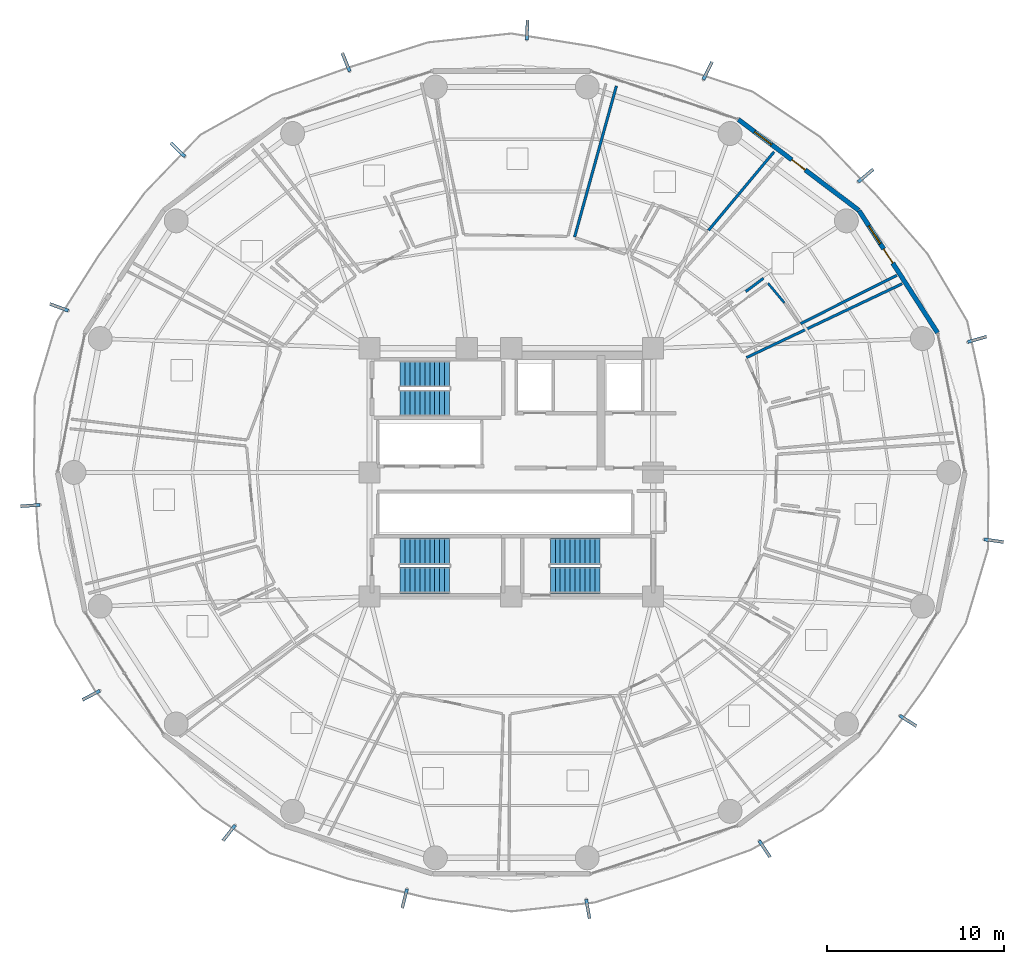
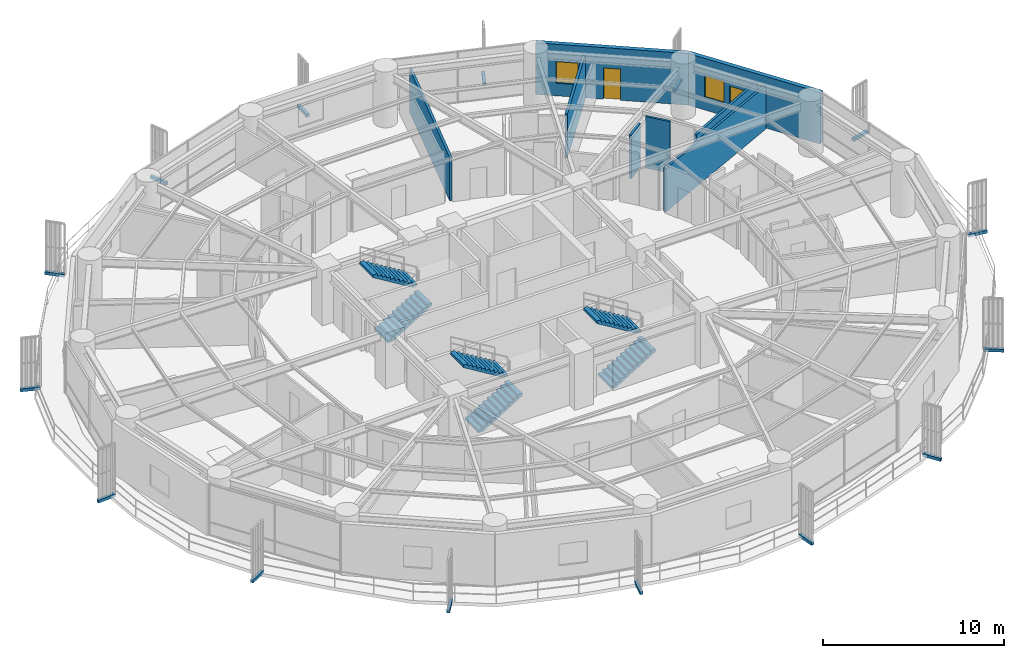
# One storey, part 32 of 36: 15 discrete accessories, 8 walls, 6 stair flights, 2 doors, 2 windows, 4 openings, 3 elements without a shape of their own.
"""IFC4 building model written with IfcOpenShell, lengths in metres."""

from ifc_helpers import new_model, si_unit, direction, frame, frame_2d, origin, origin_2d, place, context, subcontext, project, spatial, polyline, rectangle, outline, extrude, source, transform, mapped, material, layer, layer_set, type_object, element, fill, aggregate, save


model = new_model("IFC4")

# Units and contexts
model_context = context("Model", 3, precision=1e-05, world=origin(), true_north=direction((0.0, 1.0)))
body_context = subcontext(model_context, "Body", "Model", "MODEL_VIEW")
ifc_project = project(units=[si_unit("LENGTHUNIT", "METRE"), si_unit("AREAUNIT", "SQUARE_METRE"), si_unit("VOLUMEUNIT", "CUBIC_METRE"), si_unit("PLANEANGLEUNIT", "RADIAN"), si_unit("MASSUNIT", "GRAM", prefix="KILO")], contexts=[model_context])

# Site, building, storey
site_placement = place(None, origin())
site = spatial("IfcSite", under=ifc_project, at=site_placement, CompositionType="ELEMENT")
building_placement = place(site_placement, origin())
building = spatial("IfcBuilding", under=site, at=building_placement, Name="Kelanora Arch Commons", CompositionType="ELEMENT")
storey_placement = place(building_placement, frame((0.0, 0.0, 102.60009765625)))
storey = spatial("IfcBuildingStorey", under=building, at=storey_placement, Name="L26", CompositionType="ELEMENT", Elevation=102.60009765625)

# Walls
ifc_material_1 = material(Name="Autoclaved aerated concrete blockwork with fire plaster", Category="masonry")
ifc_layer_1 = layer(ifc_material_1, 0.14990234375)
ifc_layer_set_1 = layer_set([ifc_layer_1], Name="Autoclaved aerated concrete blockwork with fire plaster")
wall_type_1 = type_object("IfcWallType", Name="W-COMP-150", PredefinedType="PARTITIONING", material=ifc_layer_set_1)
wall_1_placement = place(storey_placement, frame((87.27001953125, 64.47900390625, 0.0), z_axis=(0.0, 0.0, 1.0), x_axis=(0.903543765611, 0.428495815178, 0.0)))
element("IfcWall", 1, at=wall_1_placement, inside=storey, type_object=wall_type_1, Name="Co-Living Studio L26-01 Enclosure Partition 2", PredefinedType="PARTITIONING", context=body_context, shape_type="SweptSolid", body=[
    extrude(rectangle(XDim=9.712646484375, YDim=0.14990234375, at=frame_2d((4.8564453125, 0.0))), origin(), (0.0, 0.0, 1.0), 2.9248046875),
])
wall_2_placement = place(storey_placement, frame((95.749267578125, 69.1201171875, 0.0), z_axis=(0.0, 0.0, 1.0), x_axis=(-0.89358164897, -0.448900697954, 0.0)))
element("IfcWall", 2, at=wall_2_placement, inside=storey, type_object=wall_type_1, Name="Co-Living Studio L26-02 Enclosure Partition 5", PredefinedType="PARTITIONING", context=body_context, shape_type="SweptSolid", body=[
    extrude(rectangle(XDim=6.074951171875, YDim=0.14990234375, at=frame_2d((3.03759765625, 0.0))), origin(), (0.0, 0.0, 1.0), 2.974853515625),
])
wall_3_placement = place(storey_placement, frame((88.22509765625, 68.952880859375, 0.0), z_axis=(0.0, 0.0, 1.0), x_axis=(-0.799225323022, -0.601031515846, 0.0)))
element("IfcWall", 3, at=wall_3_placement, inside=storey, type_object=wall_type_1, Name="Co-Living Studio L26-02 Enclosure Partition 7", PredefinedType="PARTITIONING", context=body_context, shape_type="SweptSolid", body=[
    extrude(rectangle(XDim=1.2490234375, YDim=0.14990234375, at=frame_2d((0.62451171875, 0.0))), origin(), (0.0, 0.0, 1.0), 2.9248046875),
])
wall_4_placement = place(storey_placement, frame((77.57080078125, 71.280517578125, 0.0), z_axis=(0.0, 0.0, 1.0), x_axis=(0.266746506471, 0.963766725554, 0.0)))
element("IfcWall", 4, at=wall_4_placement, inside=storey, type_object=wall_type_1, Name="Co-Living Studio L26-03 Enclosure Partition 2", PredefinedType="PARTITIONING", context=body_context, shape_type="SweptSolid", body=[
    extrude(rectangle(XDim=8.84130859375, YDim=0.14990234375, at=frame_2d((4.420654296875, 0.0))), origin(), (0.0, 0.0, 1.0), 2.9248046875),
])
wall_5_placement = place(storey_placement, frame((88.822509765625, 76.086181640625, 0.0), z_axis=(0.0, 0.0, 1.0), x_axis=(-0.640629420745, -0.767850210182, 0.0)))
element("IfcWall", 5, at=wall_5_placement, inside=storey, type_object=wall_type_1, Name="Co-Living Studio L26-03 Enclosure Partition 5", PredefinedType="PARTITIONING", context=body_context, shape_type="SweptSolid", body=[
    extrude(rectangle(XDim=5.7724609375, YDim=0.14990234375, at=frame_2d((2.88623046875, 0.0))), origin(), (0.0, 0.0, 1.0), 2.974853515625),
])

# Wall, openings, door, window
ifc_material_2 = material(Name="Precast concrete C40/50 with terracotta rainscreen", Category="masonry")
ifc_layer_2 = layer(ifc_material_2, 0.260009765625)
ifc_layer_set_2 = layer_set([ifc_layer_2], Name="Precast concrete C40/50 with terracotta rainscreen")
wall_type_2 = type_object("IfcWallType", Name="W-EXT-TC", PredefinedType="SOLIDWALL", material=ifc_layer_set_2)
wall_6_placement = place(storey_placement, frame((98.048095703125, 65.879150390625, 0.0), z_axis=(0.0, 0.0, 1.0), x_axis=(-0.540620528459, 0.841266571432, 0.0)))
wall_6 = element("IfcWall", 6, at=wall_6_placement, inside=storey, type_object=wall_type_2, Name="Terracotta Exterior Wall L26-B01", PredefinedType="SOLIDWALL", context=body_context, shape_type="SweptSolid", body=[
    extrude(rectangle(XDim=8.19287109375, YDim=0.260009765625, at=frame_2d((4.096435546875, 0.0))), origin(), (0.0, 0.0, 1.0), 3.474853515625),
])
opening_1_placement = place(wall_6_placement, frame((4.6708984375, 0.0, 0.0)))
opening_1 = element("IfcOpeningElement", 7, at=opening_1_placement, cuts=wall_6, Name="Opening DB-01", PredefinedType="OPENING", context=body_context, shape_type="SweptSolid", body=[
    extrude(rectangle(XDim=0.949951171875, YDim=2.10009765625, at=frame_2d((0.47509765625, 1.050048828125))), frame((0.0, 0.14013671875, 0.0), z_axis=(0.0, -1.0, 0.0), x_axis=(1.0, 0.0, 0.0)), (0.0, 0.0, 1.0), 0.280029296875),
])
opening_2_placement = place(wall_6_placement, frame((5.970947265625, 0.0, 0.85009765625)))
opening_2 = element("IfcOpeningElement", 8, at=opening_2_placement, cuts=wall_6, Name="Opening WN-02", PredefinedType="OPENING", context=body_context, shape_type="SweptSolid", body=[
    extrude(rectangle(XDim=1.199951171875, YDim=1.449951171875, at=frame_2d((0.60009765625, 0.72509765625))), frame((0.0, 0.14013671875, 0.0), z_axis=(0.0, -1.0, 0.0), x_axis=(1.0, 0.0, 0.0)), (0.0, 0.0, 1.0), 0.280029296875),
])
ifc_material_3 = material(Name="Terracotta-aluminium thermally broken glazed balcony door", Category="masonry")
door_type = type_object("IfcDoorType", Name="D-BAL-10", OperationType="NOTDEFINED", PredefinedType="DOOR", material=ifc_material_3)
door_1_placement = place(opening_1_placement, frame((0.949951171875, 0.0, 0.0), z_axis=(0.0, 0.0, 1.0), x_axis=(-1.0, 0.0, 0.0)))
door_1 = element("IfcDoor", 9, at=door_1_placement, inside=storey, type_object=door_type, Name="Wave Balcony Door L26-B01", OperationType="SINGLE_SWING_RIGHT", OverallHeight=2.10009765625, OverallWidth=0.949951171875, PredefinedType="DOOR", context=body_context, shape_type="SweptSolid", body=[
    extrude(rectangle(XDim=0.949951171875, YDim=2.10009765625, at=frame_2d((0.47509765625, 1.050048828125))), frame((0.0, 0.02490234375, 0.0), z_axis=(0.0, -1.0, 0.0), x_axis=(1.0, 0.0, 0.0)), (0.0, 0.0, 1.0), 0.050048828125),
])
fill(opening_1, door_1)
ifc_material_4 = material(Name="Terracotta-anodised aluminium frame with operable awning sash", Category="masonry")
window_type = type_object("IfcWindowType", Name="WIN-CL-12", PartitioningType="SINGLE_PANEL", PredefinedType="WINDOW", material=ifc_material_4)
window_1_placement = place(opening_2_placement, origin())
window_1 = element("IfcWindow", 10, at=window_1_placement, inside=storey, type_object=window_type, Name="Co-Living Operable Window L26-B01", OverallHeight=1.449951171875, OverallWidth=1.199951171875, PartitioningType="SINGLE_PANEL", PredefinedType="WINDOW", context=body_context, shape_type="SweptSolid", body=[
    extrude(rectangle(XDim=1.199951171875, YDim=1.449951171875, at=frame_2d((0.60009765625, 0.72509765625))), frame((0.0, 0.030029296875, 0.0), z_axis=(0.0, -1.0, 0.0), x_axis=(1.0, 0.0, 0.0)), (0.0, 0.0, 1.0), 0.06005859375),
])
fill(opening_2, window_1)

wall_7_placement = place(storey_placement, frame((93.5986328125, 72.793212890625, 0.0), z_axis=(0.0, 0.0, 1.0), x_axis=(-0.798501507879, 0.601992808857, 0.0)))
wall_7 = element("IfcWall", 11, at=wall_7_placement, inside=storey, type_object=wall_type_2, Name="Terracotta Exterior Wall L26-B02", PredefinedType="SOLIDWALL", context=body_context, shape_type="SweptSolid", body=[
    extrude(rectangle(XDim=8.499267578125, YDim=0.260009765625, at=frame_2d((4.24951171875, 0.0))), origin(), (0.0, 0.0, 1.0), 3.474853515625),
])
opening_3_placement = place(wall_7_placement, frame((3.77490234375, 0.0, 0.0)))
opening_3 = element("IfcOpeningElement", 12, at=opening_3_placement, cuts=wall_7, Name="Opening DB-01", PredefinedType="OPENING", context=body_context, shape_type="SweptSolid", body=[
    extrude(rectangle(XDim=0.949951171875, YDim=2.10009765625, at=frame_2d((0.47509765625, 1.050048828125))), frame((0.0, 0.14013671875, 0.0), z_axis=(0.0, -1.0, 0.0), x_axis=(1.0, 0.0, 0.0)), (0.0, 0.0, 1.0), 0.280029296875),
])
opening_4_placement = place(wall_7_placement, frame((6.155029296875, 0.0, 0.85009765625)))
opening_4 = element("IfcOpeningElement", 13, at=opening_4_placement, cuts=wall_7, Name="Opening WN-02", PredefinedType="OPENING", context=body_context, shape_type="SweptSolid", body=[
    extrude(rectangle(XDim=1.199951171875, YDim=1.449951171875, at=frame_2d((0.60009765625, 0.72509765625))), frame((0.0, 0.14013671875, 0.0), z_axis=(0.0, -1.0, 0.0), x_axis=(1.0, 0.0, 0.0)), (0.0, 0.0, 1.0), 0.280029296875),
])
door_2_placement = place(opening_3_placement, frame((0.949951171875, 0.0, 0.0), z_axis=(0.0, 0.0, 1.0), x_axis=(-1.0, 0.0, 0.0)))
door_2 = element("IfcDoor", 14, at=door_2_placement, inside=storey, type_object=door_type, Name="Wave Balcony Door L26-B02", OperationType="SINGLE_SWING_LEFT", OverallHeight=2.10009765625, OverallWidth=0.949951171875, PredefinedType="DOOR", context=body_context, shape_type="SweptSolid", body=[
    extrude(rectangle(XDim=0.949951171875, YDim=2.10009765625, at=frame_2d((0.47509765625, 1.050048828125))), frame((0.0, 0.02490234375, 0.0), z_axis=(0.0, -1.0, 0.0), x_axis=(1.0, 0.0, 0.0)), (0.0, 0.0, 1.0), 0.050048828125),
])
fill(opening_3, door_2)
window_2_placement = place(opening_4_placement, origin())
window_2 = element("IfcWindow", 15, at=window_2_placement, inside=storey, type_object=window_type, Name="Co-Living Operable Window L26-B02", OverallHeight=1.449951171875, OverallWidth=1.199951171875, PartitioningType="SINGLE_PANEL", PredefinedType="WINDOW", context=body_context, shape_type="SweptSolid", body=[
    extrude(rectangle(XDim=1.199951171875, YDim=1.449951171875, at=frame_2d((0.60009765625, 0.72509765625))), frame((0.0, 0.030029296875, 0.0), z_axis=(0.0, -1.0, 0.0), x_axis=(1.0, 0.0, 0.0)), (0.0, 0.0, 1.0), 0.06005859375),
])
fill(opening_4, window_2)

# Wall
ifc_material_5 = material(Name="Moisture-resistant fire-rated cement-board plumbing wall")
ifc_layer_3 = layer(ifc_material_5, 0.1298828125)
ifc_layer_set_3 = layer_set([ifc_layer_3], Name="Moisture-resistant fire-rated cement-board plumbing wall")
wall_type_3 = type_object("IfcWallType", Name="W-WET-120", PredefinedType="PLUMBINGWALL", material=ifc_layer_set_3)
wall_8_placement = place(storey_placement, frame((88.480712890625, 68.675537109375, 0.0), z_axis=(0.0, 0.0, 1.0), x_axis=(0.640685734907, -0.767803222894, 0.0)))
element("IfcWall", 16, at=wall_8_placement, inside=storey, type_object=wall_type_3, Name="En-Suite Shower WC L26-02 Enclosure Partition 4", PredefinedType="PLUMBINGWALL", context=body_context, shape_type="SweptSolid", body=[
    extrude(rectangle(XDim=1.4365234375, YDim=0.1298828125, at=frame_2d((0.71826171875, 0.0))), origin(), (0.0, 0.0, 1.0), 3.47998046875),
])

# Stair, stair flights
ifc_material_6 = material(Name="Concrete C40/50", Category="concrete")
stair_type = type_object("IfcStairType", Name="STR-DL-375", PredefinedType="HALF_TURN_STAIR", material=ifc_material_6)
stair_1_placement = place(storey_placement, origin())
stair_1 = element("IfcStair", 17, at=stair_1_placement, inside=storey, type_object=stair_type, Name="L26 ST-T1", PredefinedType="HALF_TURN_STAIR")
stair_flight_type = type_object("IfcStairFlightType", Name="FLT-DL-375", PredefinedType="STRAIGHT", material=ifc_material_6)
stair_flight_1_placement = place(storey_placement, frame((67.719970703125, 61.919921875, 0.0), z_axis=(0.0, 0.0, 1.0), x_axis=(1.0, 0.0, 0.0)))
stair_flight_1 = element("IfcStairFlight", 18, at=stair_flight_1_placement, type_object=stair_flight_type, Name="ST-T1 flight 1", NumberOfRisers=11, NumberOfTreads=10, PredefinedType="STRAIGHT", RiserHeight=0.170454545, TreadLength=0.28, context=body_context, shape_type="SweptSolid", body=[
    extrude(outline(polyline([(0.0, 0.0), (0.0, 0.17041015625), (0.280029296875, 0.17041015625), (0.280029296875, 0.3408203125), (0.56005859375, 0.3408203125), (0.56005859375, 0.511474609375), (0.840087890625, 0.511474609375), (0.840087890625, 0.681884765625), (1.1201171875, 0.681884765625), (1.1201171875, 0.852294921875), (1.39990234375, 0.852294921875), (1.39990234375, 1.022705078125), (1.679931640625, 1.022705078125), (1.679931640625, 1.193115234375), (1.9599609375, 1.193115234375), (1.9599609375, 1.363525390625), (2.239990234375, 1.363525390625), (2.239990234375, 1.5341796875), (2.52001953125, 1.5341796875), (2.52001953125, 1.70458984375), (2.800048828125, 1.70458984375), (2.800048828125, 1.875), (2.800048828125, 1.529052734375), (0.288330078125, 0.0), (0.0, 0.0)])), frame((0.0, 0.739990234375, 0.0), z_axis=(0.0, -1.0, 0.0), x_axis=(1.0, 0.0, 0.0)), (0.0, 0.0, 1.0), 1.47998046875),
])
stair_flight_2_placement = place(storey_placement, frame((70.52001953125, 63.550048828125, 1.875), z_axis=(0.0, 0.0, 1.0), x_axis=(-1.0, 0.0, 0.0)))
stair_flight_2 = element("IfcStairFlight", 19, at=stair_flight_2_placement, type_object=stair_flight_type, Name="ST-T1 flight 2", NumberOfRisers=11, NumberOfTreads=10, PredefinedType="STRAIGHT", RiserHeight=0.170454545, TreadLength=0.28, context=body_context, shape_type="SweptSolid", body=[
    extrude(outline(polyline([(0.0, 0.0), (0.0, 0.17041015625), (0.280029296875, 0.17041015625), (0.280029296875, 0.3408203125), (0.56005859375, 0.3408203125), (0.56005859375, 0.511474609375), (0.840087890625, 0.511474609375), (0.840087890625, 0.681884765625), (1.1201171875, 0.681884765625), (1.1201171875, 0.852294921875), (1.39990234375, 0.852294921875), (1.39990234375, 1.022705078125), (1.679931640625, 1.022705078125), (1.679931640625, 1.193115234375), (1.9599609375, 1.193115234375), (1.9599609375, 1.363525390625), (2.239990234375, 1.363525390625), (2.239990234375, 1.5341796875), (2.52001953125, 1.5341796875), (2.52001953125, 1.70458984375), (2.800048828125, 1.70458984375), (2.800048828125, 1.875), (2.800048828125, 1.529052734375), (0.288330078125, 0.0), (0.0, 0.0)])), frame((0.0, 0.739990234375, 0.0), z_axis=(0.0, -1.0, 0.0), x_axis=(1.0, 0.0, 0.0)), (0.0, 0.0, 1.0), 1.47998046875),
])
aggregate(stair_1, [stair_flight_1, stair_flight_2])

stair_2_placement = place(storey_placement, origin())
stair_2 = element("IfcStair", 20, at=stair_2_placement, inside=storey, type_object=stair_type, Name="L26 ST-T2", PredefinedType="HALF_TURN_STAIR")
stair_flight_3_placement = place(storey_placement, frame((76.199951171875, 51.919921875, 0.0), z_axis=(0.0, 0.0, 1.0), x_axis=(1.0, 0.0, 0.0)))
stair_flight_3 = element("IfcStairFlight", 21, at=stair_flight_3_placement, type_object=stair_flight_type, Name="ST-T2 flight 1", NumberOfRisers=11, NumberOfTreads=10, PredefinedType="STRAIGHT", RiserHeight=0.170454545, TreadLength=0.28, context=body_context, shape_type="SweptSolid", body=[
    extrude(outline(polyline([(0.0, 0.0), (0.0, 0.17041015625), (0.280029296875, 0.17041015625), (0.280029296875, 0.3408203125), (0.56005859375, 0.3408203125), (0.56005859375, 0.511474609375), (0.840087890625, 0.511474609375), (0.840087890625, 0.681884765625), (1.1201171875, 0.681884765625), (1.1201171875, 0.852294921875), (1.39990234375, 0.852294921875), (1.39990234375, 1.022705078125), (1.679931640625, 1.022705078125), (1.679931640625, 1.193115234375), (1.9599609375, 1.193115234375), (1.9599609375, 1.363525390625), (2.239990234375, 1.363525390625), (2.239990234375, 1.5341796875), (2.52001953125, 1.5341796875), (2.52001953125, 1.70458984375), (2.800048828125, 1.70458984375), (2.800048828125, 1.875), (2.800048828125, 1.529052734375), (0.288330078125, 0.0), (0.0, 0.0)])), frame((0.0, 0.739990234375, 0.0), z_axis=(0.0, -1.0, 0.0), x_axis=(1.0, 0.0, 0.0)), (0.0, 0.0, 1.0), 1.47998046875),
])
stair_flight_4_placement = place(storey_placement, frame((79.0, 53.550048828125, 1.875), z_axis=(0.0, 0.0, 1.0), x_axis=(-1.0, 0.0, 0.0)))
stair_flight_4 = element("IfcStairFlight", 22, at=stair_flight_4_placement, type_object=stair_flight_type, Name="ST-T2 flight 2", NumberOfRisers=11, NumberOfTreads=10, PredefinedType="STRAIGHT", RiserHeight=0.170454545, TreadLength=0.28, context=body_context, shape_type="SweptSolid", body=[
    extrude(outline(polyline([(0.0, 0.0), (0.0, 0.17041015625), (0.280029296875, 0.17041015625), (0.280029296875, 0.3408203125), (0.56005859375, 0.3408203125), (0.56005859375, 0.511474609375), (0.840087890625, 0.511474609375), (0.840087890625, 0.681884765625), (1.1201171875, 0.681884765625), (1.1201171875, 0.852294921875), (1.39990234375, 0.852294921875), (1.39990234375, 1.022705078125), (1.679931640625, 1.022705078125), (1.679931640625, 1.193115234375), (1.9599609375, 1.193115234375), (1.9599609375, 1.363525390625), (2.239990234375, 1.363525390625), (2.239990234375, 1.5341796875), (2.52001953125, 1.5341796875), (2.52001953125, 1.70458984375), (2.800048828125, 1.70458984375), (2.800048828125, 1.875), (2.800048828125, 1.529052734375), (0.288330078125, 0.0), (0.0, 0.0)])), frame((0.0, 0.739990234375, 0.0), z_axis=(0.0, -1.0, 0.0), x_axis=(1.0, 0.0, 0.0)), (0.0, 0.0, 1.0), 1.47998046875),
])
aggregate(stair_2, [stair_flight_3, stair_flight_4])

stair_3_placement = place(storey_placement, origin())
stair_3 = element("IfcStair", 23, at=stair_3_placement, inside=storey, type_object=stair_type, Name="L26 ST-T3", PredefinedType="HALF_TURN_STAIR")
stair_flight_5_placement = place(storey_placement, frame((67.719970703125, 51.919921875, 0.0), z_axis=(0.0, 0.0, 1.0), x_axis=(1.0, 0.0, 0.0)))
stair_flight_5 = element("IfcStairFlight", 24, at=stair_flight_5_placement, type_object=stair_flight_type, Name="ST-T3 flight 1", NumberOfRisers=11, NumberOfTreads=10, PredefinedType="STRAIGHT", RiserHeight=0.170454545, TreadLength=0.28, context=body_context, shape_type="SweptSolid", body=[
    extrude(outline(polyline([(0.0, 0.0), (0.0, 0.17041015625), (0.280029296875, 0.17041015625), (0.280029296875, 0.3408203125), (0.56005859375, 0.3408203125), (0.56005859375, 0.511474609375), (0.840087890625, 0.511474609375), (0.840087890625, 0.681884765625), (1.1201171875, 0.681884765625), (1.1201171875, 0.852294921875), (1.39990234375, 0.852294921875), (1.39990234375, 1.022705078125), (1.679931640625, 1.022705078125), (1.679931640625, 1.193115234375), (1.9599609375, 1.193115234375), (1.9599609375, 1.363525390625), (2.239990234375, 1.363525390625), (2.239990234375, 1.5341796875), (2.52001953125, 1.5341796875), (2.52001953125, 1.70458984375), (2.800048828125, 1.70458984375), (2.800048828125, 1.875), (2.800048828125, 1.529052734375), (0.288330078125, 0.0), (0.0, 0.0)])), frame((0.0, 0.739990234375, 0.0), z_axis=(0.0, -1.0, 0.0), x_axis=(1.0, 0.0, 0.0)), (0.0, 0.0, 1.0), 1.47998046875),
])
stair_flight_6_placement = place(storey_placement, frame((70.52001953125, 53.550048828125, 1.875), z_axis=(0.0, 0.0, 1.0), x_axis=(-1.0, 0.0, 0.0)))
stair_flight_6 = element("IfcStairFlight", 25, at=stair_flight_6_placement, type_object=stair_flight_type, Name="ST-T3 flight 2", NumberOfRisers=11, NumberOfTreads=10, PredefinedType="STRAIGHT", RiserHeight=0.170454545, TreadLength=0.28, context=body_context, shape_type="SweptSolid", body=[
    extrude(outline(polyline([(0.0, 0.0), (0.0, 0.17041015625), (0.280029296875, 0.17041015625), (0.280029296875, 0.3408203125), (0.56005859375, 0.3408203125), (0.56005859375, 0.511474609375), (0.840087890625, 0.511474609375), (0.840087890625, 0.681884765625), (1.1201171875, 0.681884765625), (1.1201171875, 0.852294921875), (1.39990234375, 0.852294921875), (1.39990234375, 1.022705078125), (1.679931640625, 1.022705078125), (1.679931640625, 1.193115234375), (1.9599609375, 1.193115234375), (1.9599609375, 1.363525390625), (2.239990234375, 1.363525390625), (2.239990234375, 1.5341796875), (2.52001953125, 1.5341796875), (2.52001953125, 1.70458984375), (2.800048828125, 1.70458984375), (2.800048828125, 1.875), (2.800048828125, 1.529052734375), (0.288330078125, 0.0), (0.0, 0.0)])), frame((0.0, 0.739990234375, 0.0), z_axis=(0.0, -1.0, 0.0), x_axis=(1.0, 0.0, 0.0)), (0.0, 0.0, 1.0), 1.47998046875),
])
aggregate(stair_3, [stair_flight_5, stair_flight_6])

# Discrete accessories
ifc_material_7 = material(Name="Stainless steel 316 marine fin bracket", Category="steel")
discrete_accessory_type = type_object("IfcDiscreteAccessoryType", Name="ACC-FIN-BRK", PredefinedType="BRACKET", material=ifc_material_7)
shared_shape = source(origin(), body_context, "Body", "SweptSolid", [
    extrude(rectangle(XDim=1.113037109375, YDim=0.179931640625, at=origin_2d()), origin(), (0.0, 0.0, 1.0), 0.199951171875),
])
for number, where, z_axis, x_axis, name in (
    (26, (93.996826171875, 74.74609375, -0.16015625), (0.0, 0.0, 1.0), (0.766717148576, 0.641985057521, 0.0), "Sweeping Fin Cantilever Spine Bracket L26-00"),
    (27, (85.081298828125, 80.663818359375, -0.16015625), (0.0, 0.0, 1.0), (0.439312121178, 0.898334492373, 0.0), "Sweeping Fin Cantilever Spine Bracket L26-01"),
    (28, (74.89599609375, 82.960205078125, -0.16015625), (0.0, 0.0, 1.0), (0.035946037002, 0.999353732381, 0.0), "Sweeping Fin Cantilever Spine Bracket L26-02"),
    (29, (64.673583984375, 81.1484375, -0.16015625), (0.0, 0.0, 1.0), (-0.37363544353, 0.927575633217, 0.0), "Sweeping Fin Cantilever Spine Bracket L26-03"),
    (30, (55.18408203125, 76.205810546875, -0.16015625), (0.0, 0.0, 1.0), (-0.718611961505, 0.69541128031, 0.0), "Sweeping Fin Cantilever Spine Bracket L26-04"),
    (31, (48.4814453125, 67.31640625, -0.16015625), (0.0, 0.0, 1.0), (-0.939333942951, 0.343003999424, 0.0), "Sweeping Fin Cantilever Spine Bracket L26-05"),
    (32, (46.85595703125, 56.12841796875, -0.16015625), (0.0, 0.0, 1.0), (-0.997636552079, -0.068711789056, 0.0), "Sweeping Fin Cantilever Spine Bracket L26-06"),
    (33, (50.297119140625, 45.426513671875, -0.16015625), (0.0, 0.0, 1.0), (-0.88343873811, -0.468546684981, 0.0), "Sweeping Fin Cantilever Spine Bracket L26-07"),
    (34, (58.075439453125, 37.65869140625, -0.16015625), (0.0, 0.0, 1.0), (-0.616486340532, -0.78736560246, 0.0), "Sweeping Fin Cantilever Spine Bracket L26-08"),
    (35, (67.98095703125, 33.959228515625, -0.16015625), (0.0, 0.0, 1.0), (-0.242937854074, -0.970041854282, 0.0), "Sweeping Fin Cantilever Spine Bracket L26-09"),
    (36, (78.3203125, 33.357421875, -0.16015625), (0.0, 0.0, 1.0), (0.172616794375, -0.984989056944, 0.0), "Sweeping Fin Cantilever Spine Bracket L26-10"),
    (37, (88.296875, 36.759521484375, -0.16015625), (0.0, 0.0, 1.0), (0.558324430902, -0.829622703317, 0.0), "Sweeping Fin Cantilever Spine Bracket L26-11"),
    (38, (96.3876953125, 43.97998046875, -0.16015625), (0.0, 0.0, 1.0), (0.847492701108, -0.5308070474, 0.0), "Sweeping Fin Cantilever Spine Bracket L26-12"),
    (39, (101.226318359375, 54.146484375, -0.16015625), (0.0, 0.0, 1.0), (0.990121784063, -0.140210030757, 0.0), "Sweeping Fin Cantilever Spine Bracket L26-13"),
    (40, (100.28662109375, 65.509765625, -0.16015625), (0.0, 0.0, 1.0), (0.961549815579, 0.274630573972, 0.0), "Sweeping Fin Cantilever Spine Bracket L26-14"),
):
    element("IfcDiscreteAccessory", number, at=place(storey_placement, frame(where, z_axis=z_axis, x_axis=x_axis)), inside=storey, type_object=discrete_accessory_type, Name=name, PredefinedType="BRACKET", context=body_context, shape_type="MappedRepresentation", body=[
        mapped(shared_shape, transform((0.0, 0.0, 0.0), scale=1.0)),
    ])

save(model, "model.ifc")
